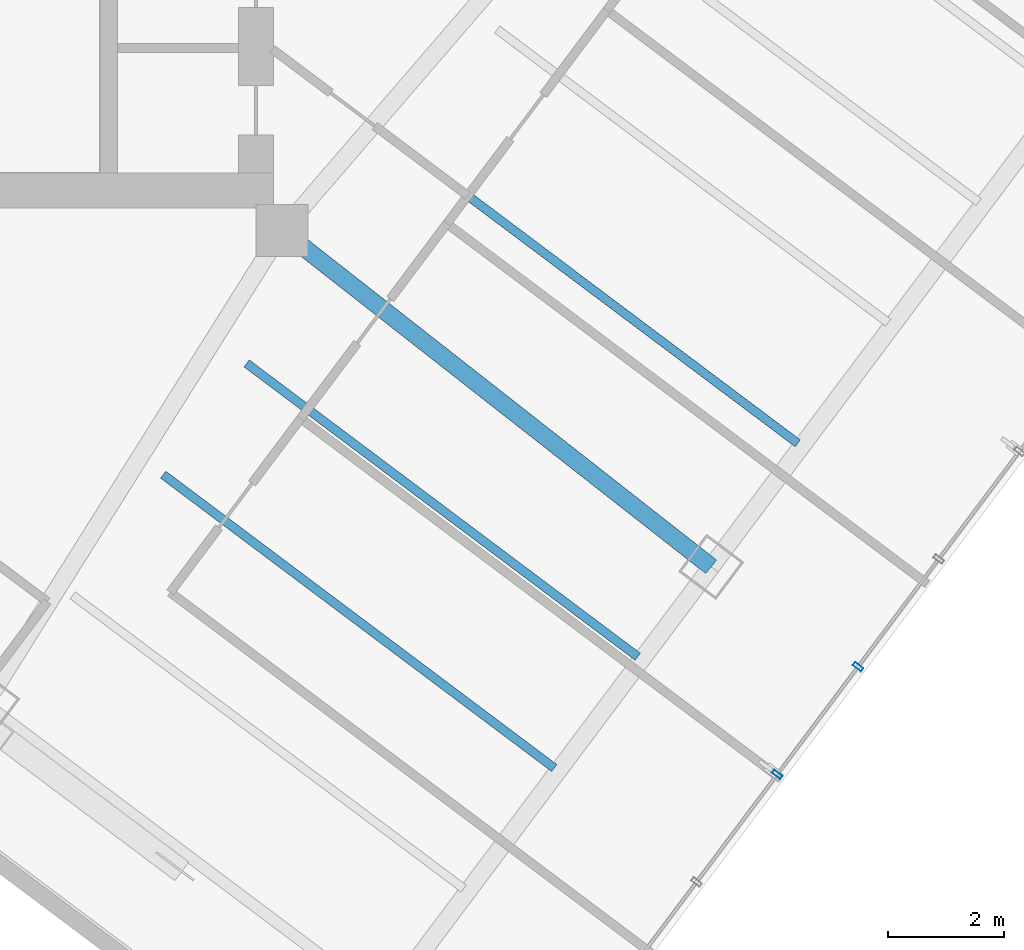
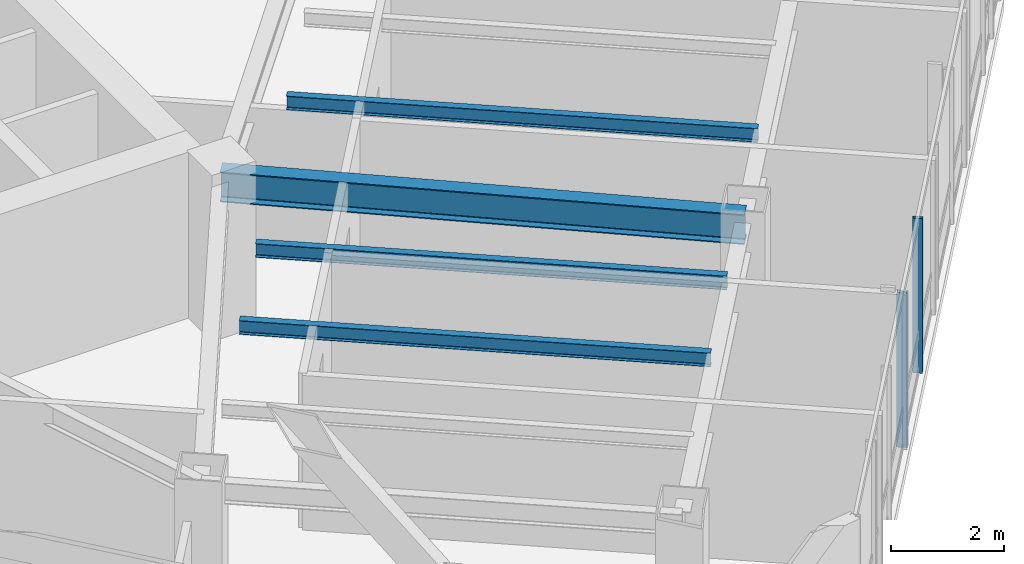
# One storey, part 11 of 29: 4 beams, 2 members, 1 element without a shape of its own.
"""IFC4 building model written with IfcOpenShell, lengths in metres."""

from ifc_helpers import new_model, si_unit, direction, frame, origin, origin_2d, place, context, subcontext, project, spatial, hollow_rectangle, i_section, extrude, material, layer, layer_set, material_profile, profile_set, type_object, element, aggregate, save


model = new_model("IFC4")

# Units and contexts
model_context = context("Model", 3, precision=1e-05, world=origin(), true_north=direction((0.0, 1.0)))
body_context = subcontext(model_context, "Body", "Model", "MODEL_VIEW")
ifc_project = project(units=[si_unit("LENGTHUNIT", "METRE"), si_unit("AREAUNIT", "SQUARE_METRE"), si_unit("VOLUMEUNIT", "CUBIC_METRE"), si_unit("PLANEANGLEUNIT", "RADIAN"), si_unit("MASSUNIT", "GRAM", prefix="KILO")], contexts=[model_context])

# Site, building, storey
site_placement = place(None, origin())
site = spatial("IfcSite", under=ifc_project, at=site_placement, CompositionType="ELEMENT")
building_placement = place(site_placement, origin())
building = spatial("IfcBuilding", under=site, at=building_placement, Name="Hatsunagi Terrace Concourse", CompositionType="ELEMENT")
storey_placement = place(building_placement, frame((0.0, 0.0, 149.25)))
storey = spatial("IfcBuildingStorey", under=building, at=storey_placement, Name="L39", CompositionType="ELEMENT", Elevation=149.25)

# Curtain wall, members
ifc_material_1 = material(Name="Anodised Aluminium Alloy 6063-T5", Category="aluminium")
ifc_layer = layer(ifc_material_1, 0.199951171875)
ifc_layer_set = layer_set([ifc_layer], Name="OfficeZone1_CW03")
curtain_wall_type = type_object("IfcCurtainWallType", Name="OfficeZone1_CW03", PredefinedType="NOTDEFINED", material=ifc_layer_set)
curtain_wall_placement = place(storey_placement, origin())
curtain_wall = element("IfcCurtainWall", 1, at=curtain_wall_placement, inside=storey, type_object=curtain_wall_type, Name="Unitised Curtain Wall CW-03 CW-L39-03", PredefinedType="NOTDEFINED")
ifc_material_2 = material(Name="Anodised Aluminium Alloy 6063-T5", Category="aluminium")
ifc_material_profile_1 = material_profile(ifc_material_2, hollow_rectangle(XDim=0.070068359375, YDim=0.179931640625, WallThickness=0.00390625, at=origin_2d()), Name="ALU-MUL-180x70x4")
ifc_profile_set_1 = profile_set([ifc_material_profile_1], Name="Anodised Aluminium Alloy 6063-T5")
member_type = type_object("IfcMemberType", Name="CurtainWallMullion_180x70", PredefinedType="MULLION", material=ifc_profile_set_1)
member_1_placement = place(storey_placement, frame((53.73193359375, 16.676025390625, 0.0), z_axis=(0.0, 0.0, 1.0), x_axis=(-0.599969314634, -0.800023013105, 0.0)))
member_1 = element("IfcMember", 2, at=member_1_placement, type_object=member_type, Name="Curtain Wall Mullion MUL-02", PredefinedType="MULLION", context=body_context, shape_type="SweptSolid", body=[
    extrude(hollow_rectangle(XDim=0.070068359375, YDim=0.179931640625, WallThickness=0.00390625, at=origin_2d()), origin(), (0.0, 0.0, 1.0), 3.35009765625),
])
member_2_placement = place(storey_placement, frame((52.340087890625, 14.819091796875, 0.0), z_axis=(0.0, 0.0, 1.0), x_axis=(-0.599969314634, -0.800023013105, 0.0)))
member_2 = element("IfcMember", 3, at=member_2_placement, type_object=member_type, Name="Curtain Wall Mullion MUL-02", PredefinedType="MULLION", context=body_context, shape_type="SweptSolid", body=[
    extrude(hollow_rectangle(XDim=0.070068359375, YDim=0.179931640625, WallThickness=0.00390625, at=origin_2d()), origin(), (0.0, 0.0, 1.0), 3.35009765625),
])
aggregate(curtain_wall, [member_1, member_2])

# Beams
ifc_material_3 = material(Name="Steel SN490B", Category="steel")
ifc_material_profile_2 = material_profile(ifc_material_3, i_section(OverallWidth=0.14990234375, OverallDepth=0.300048828125, WebThickness=0.006591796875, FlangeThickness=0.009033203125, FilletRadius=0.010986328125, at=origin_2d()), Name="H-300x150x6.5x9")
ifc_profile_set_2 = profile_set([ifc_material_profile_2], Name="Steel SN490B")
beam_type_1 = type_object("IfcBeamType", Name="OfficeJoist_H_300x150", PredefinedType="JOIST", material=ifc_profile_set_2)
for number, where, z_axis, x_axis, name in (
    (4, (41.748046875, 19.989013671875, 3.199951171875), (0.799989573921, -0.600013901187, 0.0), (0.600013901187, 0.799989573921, 0.0), "Beam J-03 J-L39-SE-2-72"),
    (5, (43.18798828125, 21.908935546875, 3.199951171875), (0.800003475366, -0.59999536615, 0.0), (0.59999536615, 0.800003475366, 0.0), "Beam J-03 J-L39-SE-2-96"),
    (6, (45.947998046875, 25.589111328125, 3.199951171875), (0.799989573921, -0.600013901187, 0.0), (0.600013901187, 0.799989573921, 0.0), "Beam J-03 J-L39-SE-2-142"),
):
    element("IfcBeam", number, at=place(storey_placement, frame(where, z_axis=z_axis, x_axis=x_axis)), inside=storey, type_object=beam_type_1, Name=name, PredefinedType="JOIST", context=body_context, shape_type="SweptSolid", body=[
        extrude(i_section(OverallWidth=0.14990234375, OverallDepth=0.300048828125, WebThickness=0.006591796875, FlangeThickness=0.009033203125, FilletRadius=0.010986328125, at=origin_2d()), origin(), (0.0, 0.0, 1.0), 8.429931640625),
    ])
ifc_material_4 = material(Name="Steel SN490B", Category="steel")
ifc_material_profile_3 = material_profile(ifc_material_4, i_section(OverallWidth=0.300048828125, OverallDepth=0.64990234375, WebThickness=0.012939453125, FlangeThickness=0.02197265625, FilletRadius=0.01806640625, at=origin_2d()), Name="H-650x300x13x22")
ifc_profile_set_3 = profile_set([ifc_material_profile_3], Name="Steel SN490B")
beam_type_2 = type_object("IfcBeamType", Name="OfficeLowGirder_H_650x300", PredefinedType="BEAM", material=ifc_profile_set_3)
beam_placement = place(storey_placement, frame((43.800048828125, 24.199951171875, 3.02490234375), z_axis=(0.787049441068, -0.616889923175, 0.0), x_axis=(0.616889923175, 0.787049441068, 0.0)))
element("IfcBeam", 7, at=beam_placement, inside=storey, type_object=beam_type_2, Name="Beam G-05 BM-L39-SE-M2", PredefinedType="BEAM", context=body_context, shape_type="SweptSolid", body=[
    extrude(i_section(OverallWidth=0.300048828125, OverallDepth=0.64990234375, WebThickness=0.012939453125, FlangeThickness=0.02197265625, FilletRadius=0.01806640625, at=origin_2d()), origin(), (0.0, 0.0, 1.0), 9.402099609375),
])

save(model, "model.ifc")
